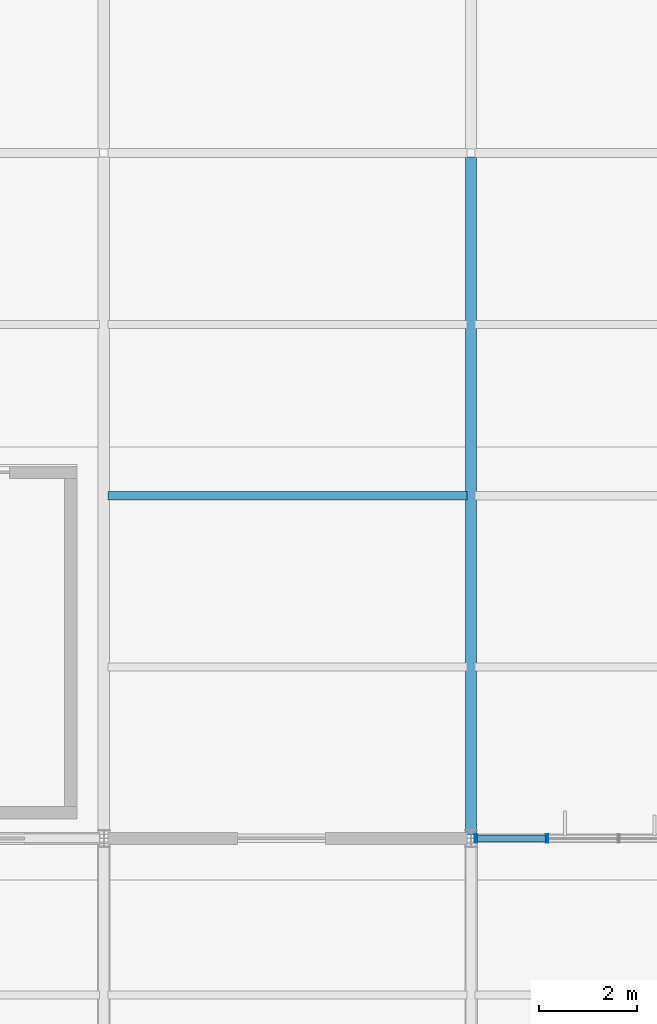
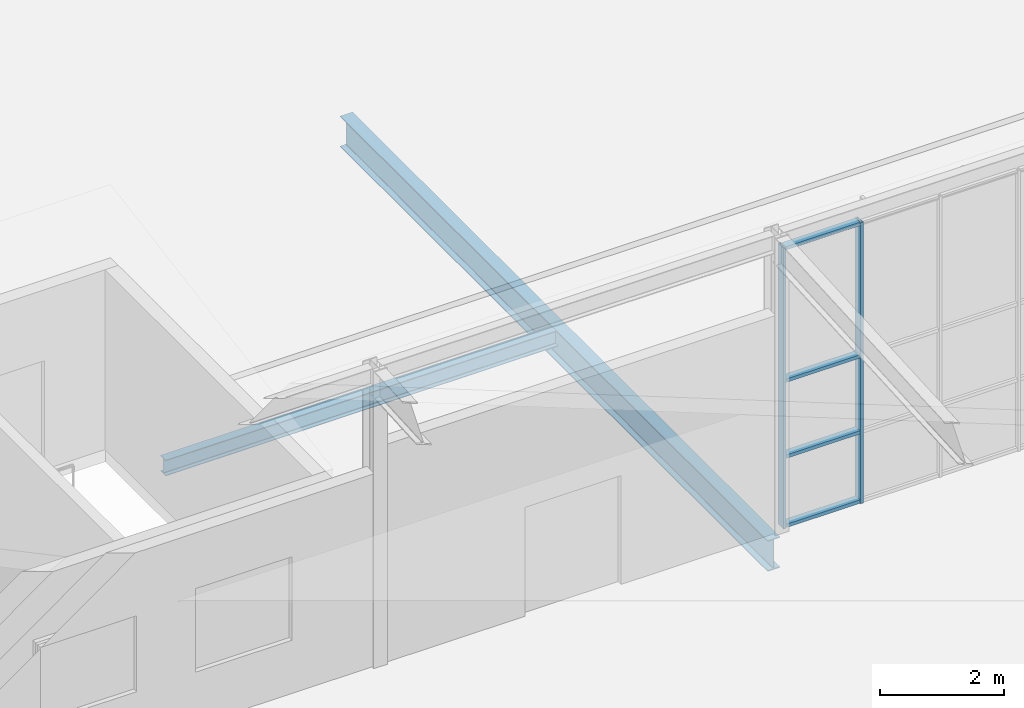
# One storey, part 20 of 104: 6 members, 2 beams, 1 element without a shape of its own.
"""IFC4 building model written with IfcOpenShell, lengths in metres."""

from ifc_helpers import new_model, si_unit, direction, frame, origin, origin_2d, place, context, subcontext, project, spatial, hollow_rectangle, i_section, extrude, material, layer, layer_set, material_profile, profile_set, type_object, element, aggregate, save


model = new_model("IFC4")

# Units and contexts
model_context = context("Model", 3, precision=1e-05, world=origin(), true_north=direction((0.0, 1.0)))
body_context = subcontext(model_context, "Body", "Model", "MODEL_VIEW")
ifc_project = project(units=[si_unit("LENGTHUNIT", "METRE"), si_unit("AREAUNIT", "SQUARE_METRE"), si_unit("VOLUMEUNIT", "CUBIC_METRE"), si_unit("PLANEANGLEUNIT", "RADIAN"), si_unit("MASSUNIT", "GRAM", prefix="KILO")], contexts=[model_context])

# Site, building, storey
site_placement = place(None, origin())
site = spatial("IfcSite", under=ifc_project, at=site_placement, CompositionType="ELEMENT")
building_placement = place(site_placement, origin())
building = spatial("IfcBuilding", under=site, at=building_placement, Name="Solvenia Promenade Tram Depot", CompositionType="ELEMENT")
storey_placement = place(building_placement, frame((0.0, 0.0, 9.0)))
storey = spatial("IfcBuildingStorey", under=building, at=storey_placement, Name="L02", CompositionType="ELEMENT", Elevation=9.0)

# Curtain wall, members
ifc_material_1 = material(Name="Anodized aluminium AW-6063 T6", Category="aluminium")
ifc_layer = layer(ifc_material_1, 0.14990234375, Name="Anodized aluminium AW-6063 T6", Category="aluminium")
ifc_layer_set = layer_set([ifc_layer], Name="Anodized aluminium AW-6063 T6")
curtain_wall_type = type_object("IfcCurtainWallType", Name="CW-Court-1500", PredefinedType="NOTDEFINED", material=ifc_layer_set)
curtain_wall_placement = place(storey_placement, origin())
curtain_wall = element("IfcCurtainWall", 1, at=curtain_wall_placement, inside=storey, type_object=curtain_wall_type, Name="Curtain Wall CW-V4N-L02-04", PredefinedType="NOTDEFINED")
ifc_material_profile_1 = material_profile(ifc_material_1, hollow_rectangle(XDim=0.179931640625, YDim=0.050048828125, WallThickness=0.00390625, at=origin_2d()), Name="ALU-M2", Category="aluminium")
ifc_profile_set_1 = profile_set([ifc_material_profile_1], Name="Anodized aluminium AW-6063 T6")
member_type_1 = type_object("IfcMemberType", Name="CWM-Mullion-2", PredefinedType="MULLION", material=ifc_profile_set_1)
member_1_placement = place(storey_placement, frame((22.60498046875, 24.0, 0.0), z_axis=(0.0, 0.0, 1.0), x_axis=(0.0, 1.0, 0.0)))
member_1 = element("IfcMember", 2, at=member_1_placement, type_object=member_type_1, Name="CW-5 mullion 1", PredefinedType="MULLION", context=body_context, shape_type="SweptSolid", body=[
    extrude(hollow_rectangle(XDim=0.179931640625, YDim=0.050048828125, WallThickness=0.00390625, at=origin_2d()), origin(), (0.0, 0.0, 1.0), 5.550048828125),
])
member_2_placement = place(storey_placement, frame((24.048095703125, 24.0, 0.0), z_axis=(0.0, 0.0, 1.0), x_axis=(0.0, 1.0, 0.0)))
member_2 = element("IfcMember", 3, at=member_2_placement, type_object=member_type_1, Name="CW-5 mullion 2", PredefinedType="MULLION", context=body_context, shape_type="SweptSolid", body=[
    extrude(hollow_rectangle(XDim=0.179931640625, YDim=0.050048828125, WallThickness=0.00390625, at=origin_2d()), origin(), (0.0, 0.0, 1.0), 5.550048828125),
])
ifc_material_profile_2 = material_profile(ifc_material_1, hollow_rectangle(XDim=0.139892578125, YDim=0.06494140625, WallThickness=0.00390625, at=origin_2d()), Name="ALU-T2", Category="aluminium")
ifc_profile_set_2 = profile_set([ifc_material_profile_2], Name="Anodized aluminium AW-6063 T6")
member_type_2 = type_object("IfcMemberType", Name="CWT-Transom-2", PredefinedType="USERDEFINED", material=ifc_profile_set_2)
member_3_placement = place(storey_placement, frame((22.6298828125, 24.0, 0.032470703125), z_axis=(1.0, 0.0, 0.0), x_axis=(0.0, 1.0, 0.0)))
member_3 = element("IfcMember", 4, at=member_3_placement, type_object=member_type_2, Name="CW-5 transom 1.1", ObjectType="TRANSOM", PredefinedType="USERDEFINED", context=body_context, shape_type="SweptSolid", body=[
    extrude(hollow_rectangle(XDim=0.139892578125, YDim=0.06494140625, WallThickness=0.00390625, at=origin_2d()), origin(), (0.0, 0.0, 1.0), 1.39306640625),
])
member_4_placement = place(storey_placement, frame((22.6298828125, 24.0, 1.39990234375), z_axis=(1.0, 0.0, 0.0), x_axis=(0.0, 1.0, 0.0)))
member_4 = element("IfcMember", 5, at=member_4_placement, type_object=member_type_2, Name="CW-5 transom 1.2", ObjectType="TRANSOM", PredefinedType="USERDEFINED", context=body_context, shape_type="SweptSolid", body=[
    extrude(hollow_rectangle(XDim=0.139892578125, YDim=0.06494140625, WallThickness=0.00390625, at=origin_2d()), origin(), (0.0, 0.0, 1.0), 1.39306640625),
])
member_5_placement = place(storey_placement, frame((22.6298828125, 24.0, 2.89990234375), z_axis=(1.0, 0.0, 0.0), x_axis=(0.0, 1.0, 0.0)))
member_5 = element("IfcMember", 6, at=member_5_placement, type_object=member_type_2, Name="CW-5 transom 1.3", ObjectType="TRANSOM", PredefinedType="USERDEFINED", context=body_context, shape_type="SweptSolid", body=[
    extrude(hollow_rectangle(XDim=0.139892578125, YDim=0.06494140625, WallThickness=0.00390625, at=origin_2d()), origin(), (0.0, 0.0, 1.0), 1.39306640625),
])
member_6_placement = place(storey_placement, frame((22.6298828125, 24.0, 5.517578125), z_axis=(1.0, 0.0, 0.0), x_axis=(0.0, 1.0, 0.0)))
member_6 = element("IfcMember", 7, at=member_6_placement, type_object=member_type_2, Name="CW-5 transom 1.4", ObjectType="TRANSOM", PredefinedType="USERDEFINED", context=body_context, shape_type="SweptSolid", body=[
    extrude(hollow_rectangle(XDim=0.139892578125, YDim=0.06494140625, WallThickness=0.00390625, at=origin_2d()), origin(), (0.0, 0.0, 1.0), 1.39306640625),
])
aggregate(curtain_wall, [member_1, member_2, member_3, member_4, member_5, member_6])

# Beams
ifc_material_2 = material(Name="Structural steel ASTM A992 Gr. 50", Category="steel")
ifc_material_profile_3 = material_profile(ifc_material_2, i_section(OverallWidth=0.22900390625, OverallDepth=0.612060546875, WebThickness=0.011962890625, FlangeThickness=0.01953125, FilletRadius=0.014892578125, at=origin_2d()), Name="W610x125", Category="steel")
ifc_profile_set_3 = profile_set([ifc_material_profile_3], Name="Structural steel ASTM A992 Gr. 50")
beam_type_1 = type_object("IfcBeamType", Name="Gird-W610x125", PredefinedType="BEAM", material=ifc_profile_set_3)
beam_1_placement = place(storey_placement, frame((22.5, 24.0849609375, -0.56591796875), z_axis=(0.0, 1.0, 0.0), x_axis=(-1.0, 0.0, 0.0)))
element("IfcBeam", 8, at=beam_1_placement, inside=storey, type_object=beam_type_1, Name="Transverse Girder BM-L02-0677", PredefinedType="BEAM", context=body_context, shape_type="SweptSolid", body=[
    extrude(i_section(OverallWidth=0.22900390625, OverallDepth=0.612060546875, WebThickness=0.011962890625, FlangeThickness=0.01953125, FilletRadius=0.014892578125, at=origin_2d()), origin(), (0.0, 0.0, 1.0), 13.830078125),
])
ifc_material_profile_4 = material_profile(ifc_material_2, i_section(OverallWidth=0.166015625, OverallDepth=0.31298828125, WebThickness=0.006591796875, FlangeThickness=0.01123046875, FilletRadius=0.010009765625, at=origin_2d()), Name="W310x45", Category="steel")
ifc_profile_set_4 = profile_set([ifc_material_profile_4], Name="Structural steel ASTM A992 Gr. 50")
beam_type_2 = type_object("IfcBeamType", Name="Joist-W310x45", PredefinedType="JOIST", material=ifc_profile_set_4)
beam_2_placement = place(storey_placement, frame((15.0849609375, 31.0, -0.41650390625), z_axis=(1.0, 0.0, 0.0), x_axis=(0.0, 1.0, 0.0)))
element("IfcBeam", 9, at=beam_2_placement, inside=storey, type_object=beam_type_2, Name="Secondary Floor Joist BM-L02-0706", PredefinedType="JOIST", context=body_context, shape_type="SweptSolid", body=[
    extrude(i_section(OverallWidth=0.166015625, OverallDepth=0.31298828125, WebThickness=0.006591796875, FlangeThickness=0.01123046875, FilletRadius=0.010009765625, at=origin_2d()), origin(), (0.0, 0.0, 1.0), 7.330078125),
])

save(model, "model.ifc")
